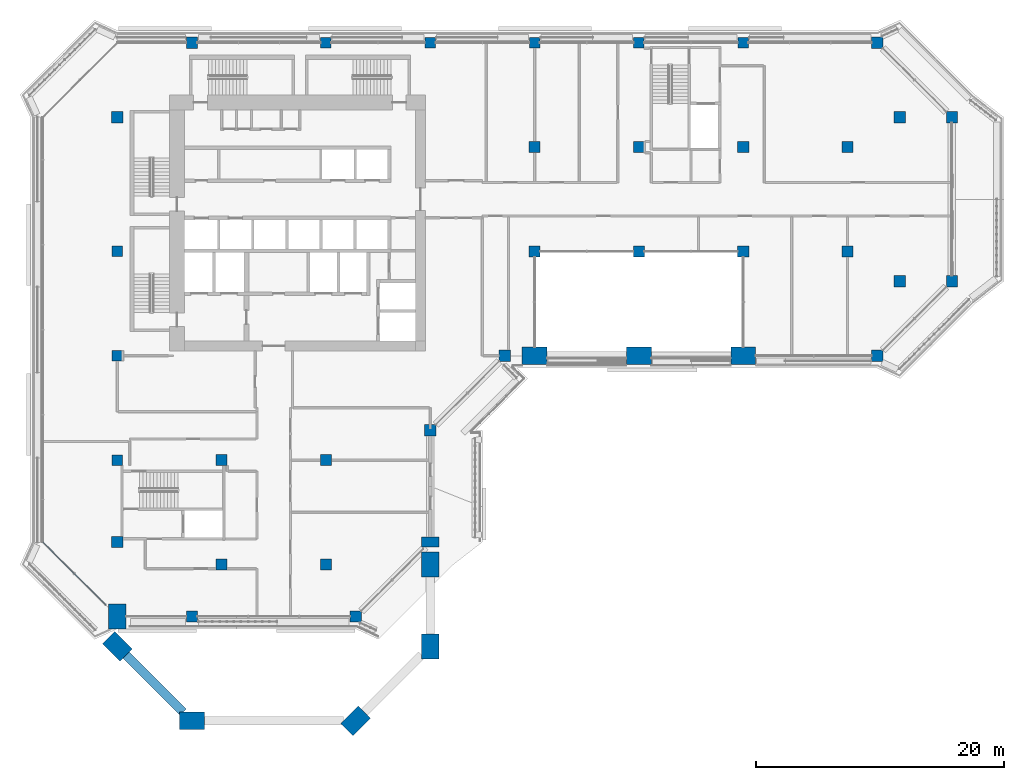
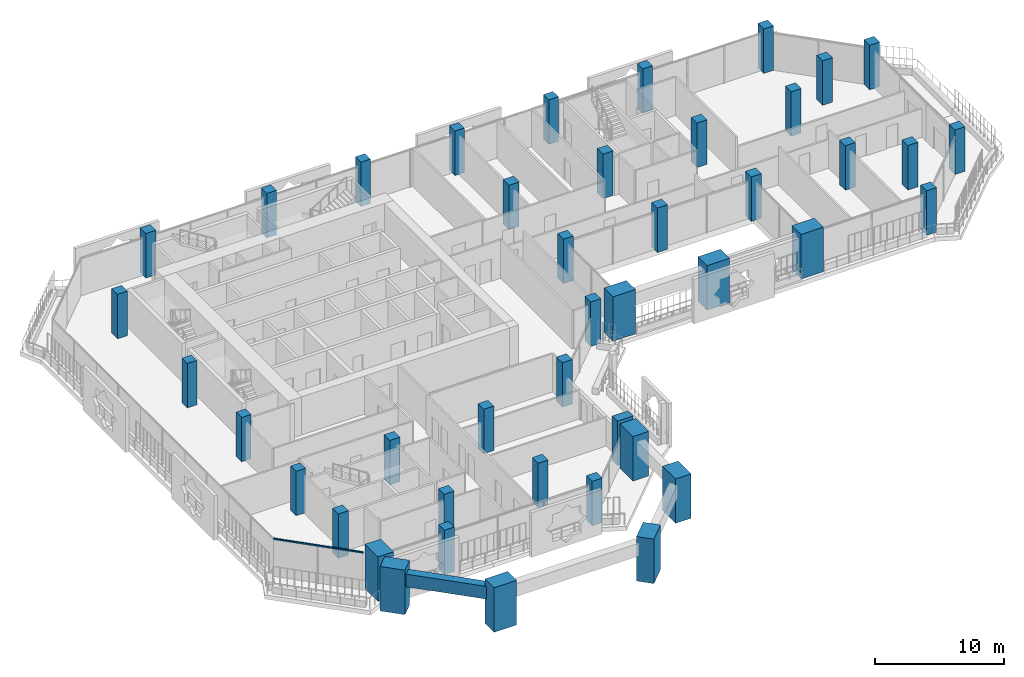
# One storey, part 1 of 23: 43 columns, 1 beam, 1 member, 1 element without a shape of its own.
"""IFC4 building model written with IfcOpenShell, lengths in metres."""

from ifc_helpers import new_model, si_unit, direction, frame, origin, origin_2d, place, context, subcontext, project, spatial, rectangle, extrude, material, layer, layer_set, material_profile, profile_set, type_object, element, aggregate, save


model = new_model("IFC4")

# Units and contexts
model_context = context("Model", 3, precision=1e-05, world=origin(), true_north=direction((0.0, 1.0)))
body_context = subcontext(model_context, "Body", "Model", "MODEL_VIEW")
ifc_project = project(units=[si_unit("LENGTHUNIT", "METRE"), si_unit("AREAUNIT", "SQUARE_METRE"), si_unit("VOLUMEUNIT", "CUBIC_METRE"), si_unit("PLANEANGLEUNIT", "RADIAN"), si_unit("MASSUNIT", "GRAM", prefix="KILO")], contexts=[model_context])

# Site, building, storey
site_placement = place(None, origin())
site = spatial("IfcSite", under=ifc_project, at=site_placement, CompositionType="ELEMENT")
building_placement = place(site_placement, origin())
building = spatial("IfcBuilding", under=site, at=building_placement, Name="Kawkab Arch Medical Tower", CompositionType="ELEMENT")
storey_placement = place(building_placement, frame((0.0, 0.0, 226.39990234375)))
storey = spatial("IfcBuildingStorey", under=building, at=storey_placement, Name="L52", CompositionType="ELEMENT", Elevation=226.39990234375)

# Columns
ifc_material_1 = material(Name="Concrete C45/55", Category="concrete")
ifc_material_profile_1 = material_profile(ifc_material_1, rectangle(XDim=2.0, YDim=1.39990234375, at=origin_2d()), Name="RC 2000x1400")
ifc_profile_set_1 = profile_set([ifc_material_profile_1], Name="Concrete C45/55")
column_type_1 = type_object("IfcColumnType", Name="RC 2000x1400 column C45/55", PredefinedType="COLUMN", material=ifc_profile_set_1)
for number, where, z_axis, x_axis, name in (
    (1, (42.0, -25.199951171875, 0.0), (0.0, 0.0, 1.0), (-1.0, 0.0, 0.0), "Column RC 2000x1400"),
    (2, (50.39990234375, -25.199951171875, 0.0), (0.0, 0.0, 1.0), (-1.0, 0.0, 0.0), "Column RC 2000x1400"),
    (3, (25.199951171875, -42.0, 0.0), (0.0, 0.0, 1.0), (0.0, -1.0, 0.0), "Column RC 2000x1400"),
    (4, (25.199951171875, -48.60009765625, 0.0), (0.0, 0.0, 1.0), (0.0, -1.0, 0.0), "Column RC 2000x1400"),
    (5, (19.199951171875, -54.60009765625, 0.0), (0.0, 0.0, 1.0), (-0.707106781187, -0.707106781187, 0.0), "Column RC 2000x1400"),
    (6, (6.0, -54.60009765625, 0.0), (0.0, 0.0, 1.0), (-1.0, 0.0, 0.0), "Column RC 2000x1400"),
    (7, (0.0, -48.60009765625, 0.0), (0.0, 0.0, 1.0), (-0.707106781187, 0.707106781187, 0.0), "Column RC 2000x1400"),
    (8, (0.0, -46.199951171875, 0.0), (0.0, 0.0, 1.0), (0.0, 1.0, 0.0), "Column RC 2000x1400"),
    (9, (33.60009765625, -25.199951171875, 0.0), (0.0, 0.0, 1.0), (-1.0, 0.0, 0.0), "Column RC 2000x1400"),
):
    element("IfcColumn", number, at=place(storey_placement, frame(where, z_axis=z_axis, x_axis=x_axis)), inside=storey, type_object=column_type_1, Name=name, PredefinedType="COLUMN", context=body_context, shape_type="SweptSolid", body=[
        extrude(rectangle(XDim=2.0, YDim=1.39990234375, at=origin_2d()), origin(), (0.0, 0.0, 1.0), 4.2001953125),
    ])
ifc_material_2 = material(Name="Concrete C45/55", Category="concrete")
ifc_material_profile_2 = material_profile(ifc_material_2, rectangle(XDim=0.800048828125, YDim=1.39990234375, at=origin_2d()), Name="RC 800x1400")
ifc_profile_set_2 = profile_set([ifc_material_profile_2], Name="Concrete C45/55")
column_type_2 = type_object("IfcColumnType", Name="RC 800x1400 column C45/55", PredefinedType="COLUMN", material=ifc_profile_set_2)
column_placement = place(storey_placement, frame((25.199951171875, -40.199951171875, 0.0), z_axis=(0.0, 0.0, 1.0), x_axis=(0.0, -1.0, 0.0)))
element("IfcColumn", 10, at=column_placement, inside=storey, type_object=column_type_2, Name="Column RC 800x1400", PredefinedType="COLUMN", context=body_context, shape_type="SweptSolid", body=[
    extrude(rectangle(XDim=0.800048828125, YDim=1.39990234375, at=origin_2d()), origin(), (0.0, 0.0, 1.0), 4.2001953125),
])
ifc_material_3 = material(Name="Concrete C45/55", Category="concrete")
ifc_material_profile_3 = material_profile(ifc_material_3, rectangle(XDim=0.85009765625, YDim=0.85009765625, at=origin_2d()), Name="RC 850x850")
ifc_profile_set_3 = profile_set([ifc_material_profile_3], Name="Concrete C45/55")
column_type_3 = type_object("IfcColumnType", Name="RC 850x850 column C45/55", PredefinedType="COLUMN", material=ifc_profile_set_3)
for number, where, z_axis, x_axis, name in (
    (11, (16.800048828125, 0.0, 0.0), (0.0, 0.0, 1.0), (1.0, 0.0, 0.0), "Column RC 850x850"),
    (12, (25.199951171875, 0.0, 0.0), (0.0, 0.0, 1.0), (1.0, 0.0, 0.0), "Column RC 850x850"),
    (13, (33.60009765625, 0.0, 0.0), (0.0, 0.0, 1.0), (1.0, 0.0, 0.0), "Column RC 850x850"),
    (14, (42.0, 0.0, 0.0), (0.0, 0.0, 1.0), (1.0, 0.0, 0.0), "Column RC 850x850"),
    (15, (50.39990234375, 0.0, 0.0), (0.0, 0.0, 1.0), (1.0, 0.0, 0.0), "Column RC 850x850"),
    (16, (0.0, -16.800048828125, 0.0), (0.0, 0.0, 1.0), (1.0, 0.0, 0.0), "Column RC 850x850"),
    (17, (0.0, -25.199951171875, 0.0), (0.0, 0.0, 1.0), (1.0, 0.0, 0.0), "Column RC 850x850"),
    (18, (0.0, -33.60009765625, 0.0), (0.0, 0.0, 1.0), (1.0, 0.0, 0.0), "Column RC 850x850"),
):
    element("IfcColumn", number, at=place(storey_placement, frame(where, z_axis=z_axis, x_axis=x_axis)), inside=storey, type_object=column_type_3, Name=name, PredefinedType="COLUMN", context=body_context, shape_type="SweptSolid", body=[
        extrude(rectangle(XDim=0.85009765625, YDim=0.85009765625, at=origin_2d()), origin(), (0.0, 0.0, 1.0), 4.2001953125),
    ])
ifc_material_4 = material(Name="Concrete C45/55", Category="concrete")
ifc_material_profile_4 = material_profile(ifc_material_4, rectangle(XDim=0.89990234375, YDim=0.89990234375, at=origin_2d()), Name="RC 900x900")
ifc_profile_set_4 = profile_set([ifc_material_profile_4], Name="Concrete C45/55")
column_type_4 = type_object("IfcColumnType", Name="RC 900x900 column C45/55", PredefinedType="COLUMN", material=ifc_profile_set_4)
for number, where, z_axis, x_axis, name in (
    (19, (6.0, 0.0, 0.0), (0.0, 0.0, 1.0), (1.0, 0.0, 0.0), "Column RC 900x900"),
    (20, (61.199951171875, 0.0, 0.0), (0.0, 0.0, 1.0), (1.0, 0.0, 0.0), "Column RC 900x900"),
    (21, (0.0, -6.0, 0.0), (0.0, 0.0, 1.0), (1.0, 0.0, 0.0), "Column RC 900x900"),
    (22, (63.0, -6.0, 0.0), (0.0, 0.0, 1.0), (1.0, 0.0, 0.0), "Column RC 900x900"),
    (23, (67.199951171875, -6.0, 0.0), (0.0, 0.0, 1.0), (1.0, 0.0, 0.0), "Column RC 900x900"),
    (24, (33.60009765625, -8.39990234375, 0.0), (0.0, 0.0, 1.0), (1.0, 0.0, 0.0), "Column RC 900x900"),
    (25, (42.0, -8.39990234375, 0.0), (0.0, 0.0, 1.0), (1.0, 0.0, 0.0), "Column RC 900x900"),
    (26, (50.39990234375, -8.39990234375, 0.0), (0.0, 0.0, 1.0), (1.0, 0.0, 0.0), "Column RC 900x900"),
    (27, (58.800048828125, -8.39990234375, 0.0), (0.0, 0.0, 1.0), (1.0, 0.0, 0.0), "Column RC 900x900"),
    (28, (33.60009765625, -16.800048828125, 0.0), (0.0, 0.0, 1.0), (1.0, 0.0, 0.0), "Column RC 900x900"),
    (29, (42.0, -16.800048828125, 0.0), (0.0, 0.0, 1.0), (1.0, 0.0, 0.0), "Column RC 900x900"),
    (30, (50.39990234375, -16.800048828125, 0.0), (0.0, 0.0, 1.0), (1.0, 0.0, 0.0), "Column RC 900x900"),
    (31, (58.800048828125, -16.800048828125, 0.0), (0.0, 0.0, 1.0), (1.0, 0.0, 0.0), "Column RC 900x900"),
    (32, (63.0, -19.199951171875, 0.0), (0.0, 0.0, 1.0), (1.0, 0.0, 0.0), "Column RC 900x900"),
    (33, (67.199951171875, -19.199951171875, 0.0), (0.0, 0.0, 1.0), (1.0, 0.0, 0.0), "Column RC 900x900"),
    (34, (31.199951171875, -25.199951171875, 0.0), (0.0, 0.0, 1.0), (1.0, 0.0, 0.0), "Column RC 900x900"),
    (35, (61.199951171875, -25.199951171875, 0.0), (0.0, 0.0, 1.0), (1.0, 0.0, 0.0), "Column RC 900x900"),
    (36, (25.199951171875, -31.199951171875, 0.0), (0.0, 0.0, 1.0), (1.0, 0.0, 0.0), "Column RC 900x900"),
    (37, (8.39990234375, -33.60009765625, 0.0), (0.0, 0.0, 1.0), (1.0, 0.0, 0.0), "Column RC 900x900"),
    (38, (16.800048828125, -33.60009765625, 0.0), (0.0, 0.0, 1.0), (1.0, 0.0, 0.0), "Column RC 900x900"),
    (39, (0.0, -40.199951171875, 0.0), (0.0, 0.0, 1.0), (1.0, 0.0, 0.0), "Column RC 900x900"),
    (40, (8.39990234375, -42.0, 0.0), (0.0, 0.0, 1.0), (1.0, 0.0, 0.0), "Column RC 900x900"),
    (41, (16.800048828125, -42.0, 0.0), (0.0, 0.0, 1.0), (1.0, 0.0, 0.0), "Column RC 900x900"),
    (42, (6.0, -46.199951171875, 0.0), (0.0, 0.0, 1.0), (1.0, 0.0, 0.0), "Column RC 900x900"),
    (43, (19.199951171875, -46.199951171875, 0.0), (0.0, 0.0, 1.0), (1.0, 0.0, 0.0), "Column RC 900x900"),
):
    element("IfcColumn", number, at=place(storey_placement, frame(where, z_axis=z_axis, x_axis=x_axis)), inside=storey, type_object=column_type_4, Name=name, PredefinedType="COLUMN", context=body_context, shape_type="SweptSolid", body=[
        extrude(rectangle(XDim=0.89990234375, YDim=0.89990234375, at=origin_2d()), origin(), (0.0, 0.0, 1.0), 4.2001953125),
    ])

# Curtain wall, member
ifc_material_5 = material(Name="Bronze anodised aluminium curtain wall frame", Category="aluminium")
ifc_layer = layer(ifc_material_5, 0.159912109375)
ifc_layer_set = layer_set([ifc_layer], Name="Bronze anodised aluminium curtain wall frame")
curtain_wall_type = type_object("IfcCurtainWallType", Name="CW2 chamfer curtain wall", PredefinedType="NOTDEFINED", material=ifc_layer_set)
curtain_wall_placement = place(storey_placement, origin())
curtain_wall = element("IfcCurtainWall", 44, at=curtain_wall_placement, inside=storey, type_object=curtain_wall_type, Name="CW2 Chamfer curtain wall R12", PredefinedType="NOTDEFINED")
ifc_material_6 = material(Name="Bronze anodised aluminium curtain wall frame", Category="aluminium")
ifc_material_profile_5 = material_profile(ifc_material_6, rectangle(XDim=0.06005859375, YDim=0.139892578125, at=origin_2d()), Name="AL 60x140")
ifc_profile_set_5 = profile_set([ifc_material_profile_5], Name="Bronze anodised aluminium curtain wall frame")
member_type = type_object("IfcMemberType", Name="CW2 transom 140 x 60", PredefinedType="USERDEFINED", material=ifc_profile_set_5)
member_placement = place(storey_placement, frame((-6.0, -40.199951171875, 3.530029296875), z_axis=(0.707089754982, -0.707123806981, 0.0), x_axis=(0.707123806981, 0.707089754982, 0.0)))
member = element("IfcMember", 45, at=member_placement, type_object=member_type, Name="CW2 transom 1", ObjectType="TRANSOM", PredefinedType="USERDEFINED", context=body_context, shape_type="SweptSolid", body=[
    extrude(rectangle(XDim=0.06005859375, YDim=0.139892578125, at=origin_2d()), origin(), (0.0, 0.0, 1.0), 7.169677734375),
])
aggregate(curtain_wall, [member])

# Beam
ifc_material_7 = material(Name="Concrete C45/55", Category="concrete")
ifc_material_profile_6 = material_profile(ifc_material_7, rectangle(XDim=0.699951171875, YDim=1.199951171875, at=origin_2d()), Name="RC 700x1200")
ifc_profile_set_6 = profile_set([ifc_material_profile_6], Name="Concrete C45/55")
beam_type = type_object("IfcBeamType", Name="RC 700x1200 beam C45/55", PredefinedType="BEAM", material=ifc_profile_set_6)
beam_placement = place(storey_placement, frame((5.300048828125, -53.89990234375, 3.0), z_axis=(-0.707125574473, 0.707087987401, 0.0), x_axis=(-0.707087987401, -0.707125574473, 0.0)))
element("IfcBeam", 46, at=beam_placement, inside=storey, type_object=beam_type, Name="Terrace frame beam TF-L50-1-L53-05", PredefinedType="BEAM", context=body_context, shape_type="SweptSolid", body=[
    extrude(rectangle(XDim=0.699951171875, YDim=1.199951171875, at=origin_2d()), origin(), (0.0, 0.0, 1.0), 6.495361328125),
])

save(model, "model.ifc")
